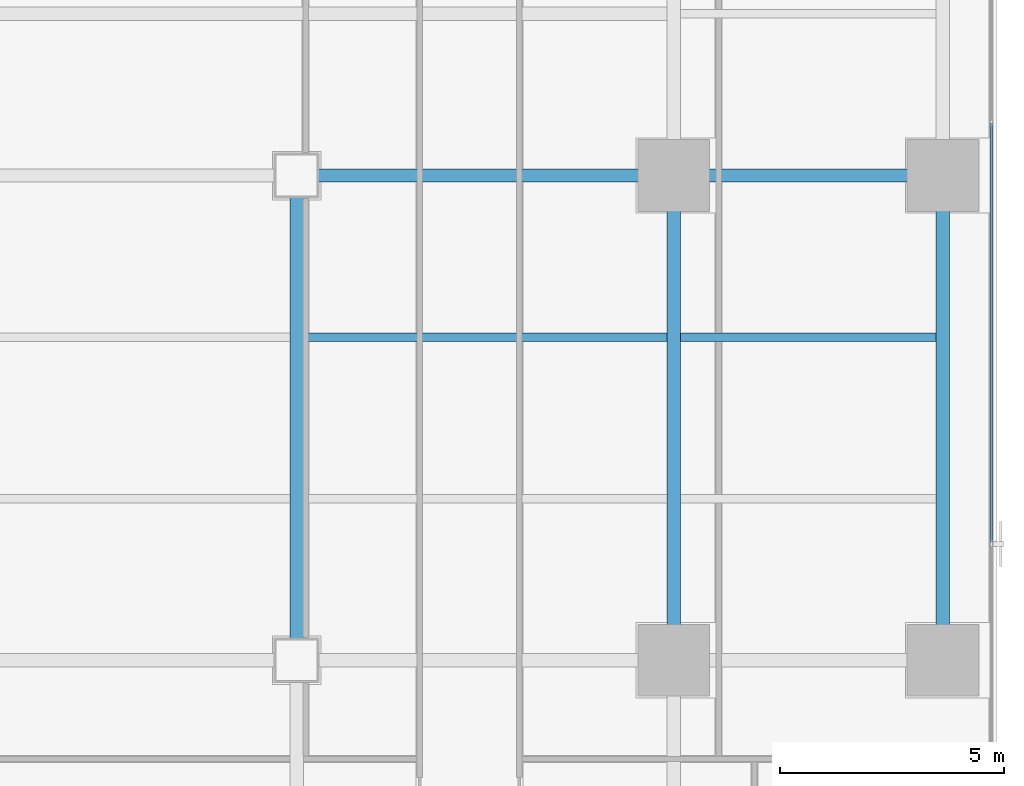
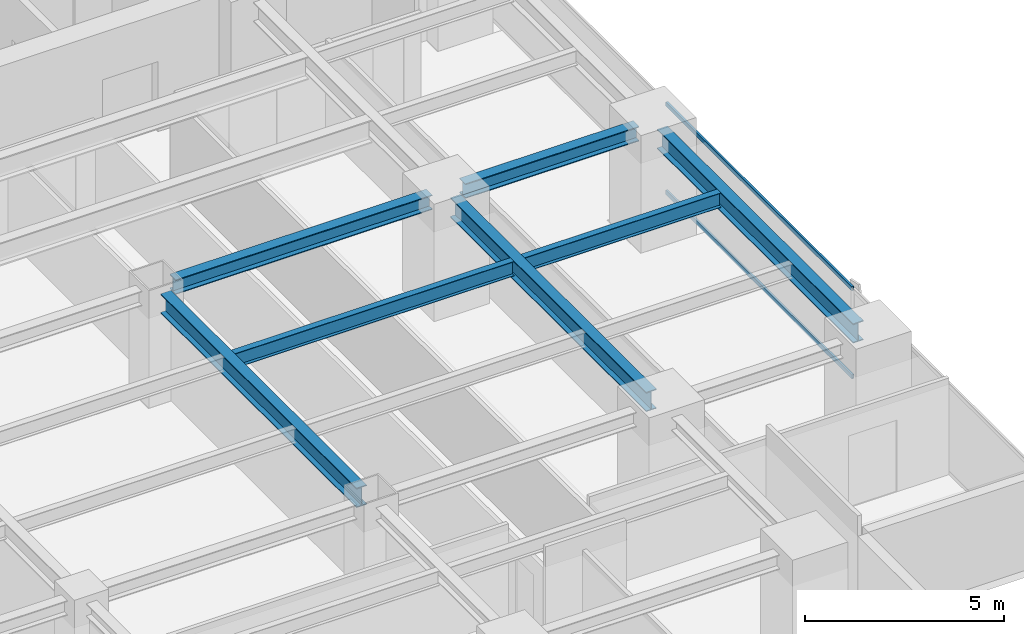
# One storey, part 12 of 28: 7 beams, 2 members, 1 element without a shape of its own.
"""IFC4 building model written with IfcOpenShell, lengths in metres."""

from ifc_helpers import new_model, si_unit, direction, frame, origin, origin_2d, place, context, subcontext, project, spatial, hollow_rectangle, i_section, extrude, source, transform, mapped, material, layer, layer_set, material_profile, profile_set, type_object, element, aggregate, save


model = new_model("IFC4")

# Units and contexts
model_context = context("Model", 3, precision=1e-05, world=origin(), true_north=direction((0.0, 1.0)))
body_context = subcontext(model_context, "Body", "Model", "MODEL_VIEW")
ifc_project = project(units=[si_unit("LENGTHUNIT", "METRE"), si_unit("AREAUNIT", "SQUARE_METRE"), si_unit("VOLUMEUNIT", "CUBIC_METRE"), si_unit("PLANEANGLEUNIT", "RADIAN"), si_unit("MASSUNIT", "GRAM", prefix="KILO")], contexts=[model_context])

# Site, building, storey
site_placement = place(None, origin())
site = spatial("IfcSite", under=ifc_project, at=site_placement, CompositionType="ELEMENT")
building_placement = place(site_placement, origin())
building = spatial("IfcBuilding", under=site, at=building_placement, Name="Sumidabori Civic Tower", CompositionType="ELEMENT")
storey_placement = place(building_placement, frame((0.0, 0.0, 182.0)))
storey = spatial("IfcBuildingStorey", under=building, at=storey_placement, Name="L47", CompositionType="ELEMENT", Elevation=182.0)

# Beams
ifc_material_1 = material(Name="Steel SN490", Category="steel")
ifc_material_profile_1 = material_profile(ifc_material_1, i_section(OverallWidth=0.300048828125, OverallDepth=0.60009765625, WebThickness=0.015380859375, FlangeThickness=0.030029296875, at=origin_2d()), Name="HE 600 B")
ifc_profile_set_1 = profile_set([ifc_material_profile_1], Name="Steel SN490")
beam_type_1 = type_object("IfcBeamType", Name="BM-GIRD-600", PredefinedType="BEAM", material=ifc_profile_set_1)
shared_shape_1 = source(origin(), body_context, "Body", "SweptSolid", [
    extrude(i_section(OverallWidth=0.300048828125, OverallDepth=0.60009765625, WebThickness=0.015380859375, FlangeThickness=0.030029296875, at=origin_2d()), origin(), (0.0, 0.0, 1.0), 9.840087890625),
])
for number, where, z_axis, x_axis, name in (
    (1, (8.39990234375, -10.320068359375, 3.080078125), (0.0, 1.0, 0.0), (-1.0, 0.0, 0.0), "Primary Girder L47 GY-31"),
    (2, (16.800048828125, -10.320068359375, 3.080078125), (0.0, 1.0, 0.0), (-1.0, 0.0, 0.0), "Primary Girder L47 GY-33"),
    (3, (22.800048828125, -10.320068359375, 3.080078125), (0.0, 1.0, 0.0), (-1.0, 0.0, 0.0), "Primary Girder L47 GY-36"),
):
    element("IfcBeam", number, at=place(storey_placement, frame(where, z_axis=z_axis, x_axis=x_axis)), inside=storey, type_object=beam_type_1, Name=name, PredefinedType="BEAM", context=body_context, shape_type="MappedRepresentation", body=[
        mapped(shared_shape_1, transform((0.0, 0.0, 0.0), x_axis=(1.0, 0.0, 0.0), y_axis=(0.0, 1.0, 0.0), z_axis=(0.0, 0.0, 1.0), scale=1.0)),
    ])
ifc_material_profile_2 = material_profile(ifc_material_1, i_section(OverallWidth=0.18994140625, OverallDepth=0.449951171875, WebThickness=0.009521484375, FlangeThickness=0.0146484375, at=origin_2d()), Name="IPE 450")
ifc_profile_set_2 = profile_set([ifc_material_profile_2], Name="Steel SN490")
beam_type_2 = type_object("IfcBeamType", Name="BM-JST-450", PredefinedType="JOIST", material=ifc_profile_set_2)
shared_shape_2 = source(origin(), body_context, "Body", "SweptSolid", [
    extrude(i_section(OverallWidth=0.18994140625, OverallDepth=0.449951171875, WebThickness=0.009521484375, FlangeThickness=0.0146484375, at=origin_2d()), origin(), (0.0, 0.0, 1.0), 5.699951171875),
])
beam_1_placement = place(storey_placement, frame((16.949951171875, -3.60009765625, 3.155029296875), z_axis=(1.0, 0.0, 0.0), x_axis=(0.0, 1.0, 0.0)))
element("IfcBeam", 4, at=beam_1_placement, inside=storey, type_object=beam_type_2, Name="Outer Bay Floor Joist L47 JSTO-42", PredefinedType="JOIST", context=body_context, shape_type="MappedRepresentation", body=[
    mapped(shared_shape_2, transform((0.0, 0.0, 0.0), x_axis=(1.0, 0.0, 0.0), y_axis=(0.0, 1.0, 0.0), z_axis=(0.0, 0.0, 1.0), scale=1.0)),
])
shared_shape_3 = source(origin(), body_context, "Body", "SweptSolid", [
    extrude(i_section(OverallWidth=0.18994140625, OverallDepth=0.449951171875, WebThickness=0.009521484375, FlangeThickness=0.0146484375, at=origin_2d()), origin(), (0.0, 0.0, 1.0), 8.099853515625),
])
beam_2_placement = place(storey_placement, frame((8.550048828125, -3.60009765625, 3.155029296875), z_axis=(1.0, 0.0, 0.0), x_axis=(0.0, 1.0, 0.0)))
element("IfcBeam", 5, at=beam_2_placement, inside=storey, type_object=beam_type_2, Name="South Bay Floor Joist L47 JSTS-60", PredefinedType="JOIST", context=body_context, shape_type="MappedRepresentation", body=[
    mapped(shared_shape_3, transform((0.0, 0.0, 0.0), x_axis=(1.0, 0.0, 0.0), y_axis=(0.0, 1.0, 0.0), z_axis=(0.0, 0.0, 1.0), scale=1.0)),
])
ifc_material_profile_3 = material_profile(ifc_material_1, i_section(OverallWidth=0.300048828125, OverallDepth=0.449951171875, WebThickness=0.013916015625, FlangeThickness=0.02587890625, at=origin_2d()), Name="HE 450 B")
ifc_profile_set_3 = profile_set([ifc_material_profile_3], Name="Steel SN490")
beam_type_3 = type_object("IfcBeamType", Name="BM-GIRD-450", PredefinedType="BEAM", material=ifc_profile_set_3)
shared_shape_4 = source(origin(), body_context, "Body", "SweptSolid", [
    extrude(i_section(OverallWidth=0.300048828125, OverallDepth=0.449951171875, WebThickness=0.013916015625, FlangeThickness=0.02587890625, at=origin_2d()), origin(), (0.0, 0.0, 1.0), 7.440185546875),
])
beam_3_placement = place(storey_placement, frame((8.8798828125, 0.0, 3.155029296875), z_axis=(1.0, 0.0, 0.0), x_axis=(0.0, 1.0, 0.0)))
element("IfcBeam", 6, at=beam_3_placement, inside=storey, type_object=beam_type_3, Name="Primary Girder L47 GX-15", PredefinedType="BEAM", context=body_context, shape_type="MappedRepresentation", body=[
    mapped(shared_shape_4, transform((0.0, 0.0, 0.0), x_axis=(1.0, 0.0, 0.0), y_axis=(0.0, 1.0, 0.0), z_axis=(0.0, 0.0, 1.0), scale=1.0)),
])
shared_shape_5 = source(origin(), body_context, "Body", "SweptSolid", [
    extrude(i_section(OverallWidth=0.300048828125, OverallDepth=0.449951171875, WebThickness=0.013916015625, FlangeThickness=0.02587890625, at=origin_2d()), origin(), (0.0, 0.0, 1.0), 5.0400390625),
])
beam_4_placement = place(storey_placement, frame((17.280029296875, 0.0, 3.155029296875), z_axis=(1.0, 0.0, 0.0), x_axis=(0.0, 1.0, 0.0)))
element("IfcBeam", 7, at=beam_4_placement, inside=storey, type_object=beam_type_3, Name="Primary Girder L47 GX-16", PredefinedType="BEAM", context=body_context, shape_type="MappedRepresentation", body=[
    mapped(shared_shape_5, transform((0.0, 0.0, 0.0), x_axis=(1.0, 0.0, 0.0), y_axis=(0.0, 1.0, 0.0), z_axis=(0.0, 0.0, 1.0), scale=1.0)),
])

# Curtain wall, members
ifc_material_2 = material(Name="Anodised Bronze Aluminium AW-6063-T6", Category="aluminium")
ifc_layer = layer(ifc_material_2, 0.179931640625, Name="Anodised Bronze Aluminium AW-6063-T6")
ifc_layer_set = layer_set([ifc_layer], Name="Anodised Bronze Aluminium AW-6063-T6")
curtain_wall_type = type_object("IfcCurtainWallType", Name="CW-SYS-3", PredefinedType="NOTDEFINED", material=ifc_layer_set)
curtain_wall_placement = place(storey_placement, origin())
curtain_wall = element("IfcCurtainWall", 8, at=curtain_wall_placement, inside=storey, type_object=curtain_wall_type, Name="Curtain Wall CW:L47:R04", PredefinedType="NOTDEFINED")
ifc_material_profile_4 = material_profile(ifc_material_2, hollow_rectangle(XDim=0.06005859375, YDim=0.1298828125, WallThickness=0.0048828125, at=origin_2d()), Name="ALU TRANSOM 130x60")
ifc_profile_set_4 = profile_set([ifc_material_profile_4], Name="Anodised Bronze Aluminium AW-6063-T6")
member_type = type_object("IfcMemberType", Name="CW-TRN-130", PredefinedType="USERDEFINED", material=ifc_profile_set_4)
shared_shape_6 = source(origin(), body_context, "Body", "SweptSolid", [
    extrude(hollow_rectangle(XDim=0.06005859375, YDim=0.1298828125, WallThickness=0.0048828125, at=origin_2d()), origin(), (0.0, 0.0, 1.0), 9.344970703125),
])
member_1_placement = place(storey_placement, frame((23.8798828125, -8.177490234375, 0.030029296875), z_axis=(0.0, 1.0, 0.0), x_axis=(-1.0, 0.0, 0.0)))
member_1 = element("IfcMember", 9, at=member_1_placement, type_object=member_type, Name="CW-3 transom 2.1", ObjectType="TRANSOM", PredefinedType="USERDEFINED", context=body_context, shape_type="MappedRepresentation", body=[
    mapped(shared_shape_6, transform((0.0, 0.0, 0.0), x_axis=(1.0, 0.0, 0.0), y_axis=(0.0, 1.0, 0.0), z_axis=(0.0, 0.0, 1.0), scale=1.0)),
])
member_2_placement = place(storey_placement, frame((23.8798828125, -8.177490234375, 2.72998046875), z_axis=(0.0, 1.0, 0.0), x_axis=(-1.0, 0.0, 0.0)))
member_2 = element("IfcMember", 10, at=member_2_placement, type_object=member_type, Name="CW-3 transom 2.2", ObjectType="TRANSOM", PredefinedType="USERDEFINED", context=body_context, shape_type="MappedRepresentation", body=[
    mapped(shared_shape_6, transform((0.0, 0.0, 0.0), x_axis=(1.0, 0.0, 0.0), y_axis=(0.0, 1.0, 0.0), z_axis=(0.0, 0.0, 1.0), scale=1.0)),
])
aggregate(curtain_wall, [member_1, member_2])

save(model, "model.ifc")
